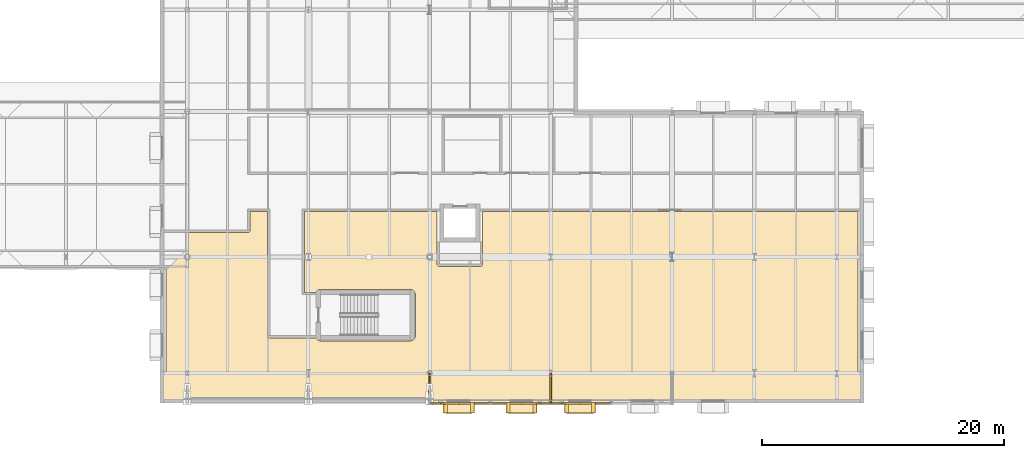
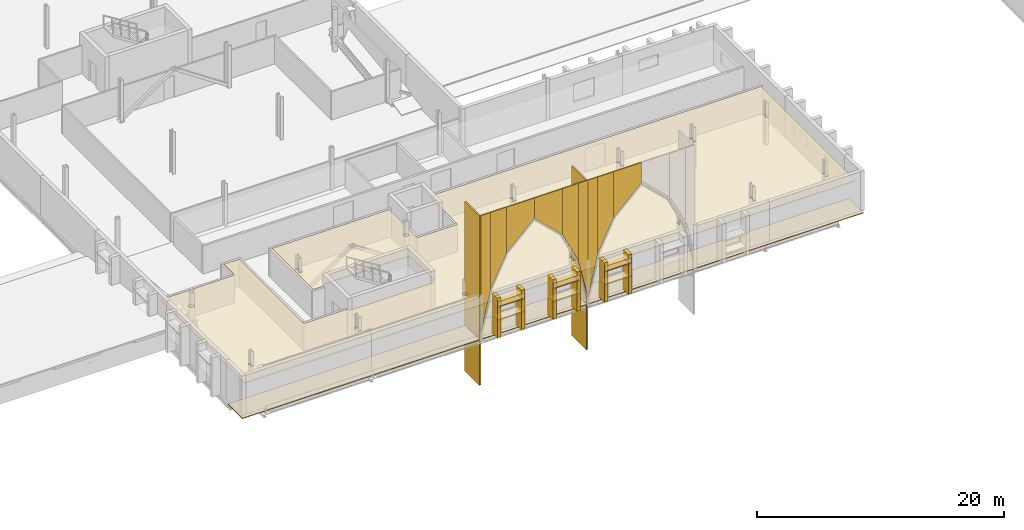
# One storey, part 86 of 90: 25 coverings, 3 shading devices.
"""IFC4 building model written with IfcOpenShell, lengths in metres."""

from ifc_helpers import new_model, si_unit, direction, frame, origin, origin_2d, place, context, subcontext, project, spatial, polyline, rectangle, outline, extrude, material, layer, layer_set, type_object, element, save


model = new_model("IFC4")

# Units and contexts
model_context = context("Model", 3, precision=1e-05, world=origin(), true_north=direction((0.0, 1.0)))
body_context = subcontext(model_context, "Body", "Model", "MODEL_VIEW")
ifc_project = project(units=[si_unit("LENGTHUNIT", "METRE"), si_unit("AREAUNIT", "SQUARE_METRE"), si_unit("VOLUMEUNIT", "CUBIC_METRE"), si_unit("PLANEANGLEUNIT", "RADIAN"), si_unit("MASSUNIT", "GRAM", prefix="KILO")], contexts=[model_context])

# Site, building, storey
site_placement = place(None, origin())
site = spatial("IfcSite", under=ifc_project, at=site_placement, CompositionType="ELEMENT")
building_placement = place(site_placement, origin())
building = spatial("IfcBuilding", under=site, at=building_placement, Name="Zereglee Splitstone Museum", CompositionType="ELEMENT")
storey_placement = place(building_placement, frame((0.0, 0.0, 4.800048828125)))
storey = spatial("IfcBuildingStorey", under=building, at=storey_placement, Name="L01", CompositionType="ELEMENT", Elevation=4.800048828125)

# Coverings
ifc_material_1 = material(Name="Siberian larch acoustic timber ceiling", Category="wood")
ifc_layer_1 = layer(ifc_material_1, 0.06005859375)
ifc_layer_set_1 = layer_set([ifc_layer_1], Name="Siberian larch acoustic timber ceiling")
covering_type_1 = type_object("IfcCoveringType", Name="CLG-01", PredefinedType="CEILING", material=ifc_layer_set_1)
covering_1_placement = place(storey_placement, frame((0.0, 0.0, 2.699951171875)))
element("IfcCovering", 1, at=covering_1_placement, inside=storey, type_object=covering_type_1, Name="Acoustic Ceiling L01-028", PredefinedType="CEILING", context=body_context, shape_type="SweptSolid", body=[
    extrude(outline(polyline([(184.8798828125, 13.3701171875), (195.820068359375, 13.3701171875), (195.820068359375, 9.0), (195.820068359375, 8.9990234375), (195.82080078125, 8.9833984375), (195.821044921875, 8.9814453125), (195.8232421875, 8.9658203125), (195.82373046875, 8.9638671875), (195.827392578125, 8.94873046875), (195.828125, 8.94677734375), (195.833251953125, 8.931884765625), (195.833984375, 8.93017578125), (195.8408203125, 8.916015625), (195.841796875, 8.914306640625), (195.849853515625, 8.90087890625), (195.850830078125, 8.899169921875), (195.8603515625, 8.88671875), (195.861572265625, 8.885009765625), (195.8720703125, 8.873291015625), (195.873291015625, 8.8720703125), (195.885009765625, 8.861572265625), (195.88671875, 8.8603515625), (195.899169921875, 8.850830078125), (195.90087890625, 8.849853515625), (195.914306640625, 8.841796875), (195.916015625, 8.8408203125), (195.93017578125, 8.833984375), (195.931884765625, 8.833251953125), (195.94677734375, 8.828125), (195.94873046875, 8.827392578125), (195.9638671875, 8.82373046875), (195.9658203125, 8.8232421875), (195.9814453125, 8.821044921875), (195.9833984375, 8.82080078125), (195.9990234375, 8.820068359375), (196.0, 8.820068359375), (199.39990234375, 8.820068359375), (199.40087890625, 8.820068359375), (199.416748046875, 8.82080078125), (199.418701171875, 8.821044921875), (199.43408203125, 8.8232421875), (199.43603515625, 8.82373046875), (199.451416015625, 8.827392578125), (199.453125, 8.828125), (199.468017578125, 8.833251953125), (199.4697265625, 8.833984375), (199.48388671875, 8.8408203125), (199.485595703125, 8.841796875), (199.499267578125, 8.849853515625), (199.500732421875, 8.850830078125), (199.513427734375, 8.8603515625), (199.514892578125, 8.861572265625), (199.526611328125, 8.8720703125), (199.528076171875, 8.873291015625), (199.53857421875, 8.885009765625), (199.539794921875, 8.88671875), (199.549072265625, 8.899169921875), (199.55029296875, 8.90087890625), (199.558349609375, 8.914306640625), (199.55908203125, 8.916015625), (199.56591796875, 8.93017578125), (199.566650390625, 8.931884765625), (199.572021484375, 8.94677734375), (199.572509765625, 8.94873046875), (199.576416015625, 8.9638671875), (199.57666015625, 8.9658203125), (199.5791015625, 8.9814453125), (199.5791015625, 8.9833984375), (199.580078125, 8.9990234375), (199.580078125, 9.0), (199.580078125, 13.3701171875), (230.5400390625, 13.3701171875), (230.5400390625, -1.93994140625), (173.4599609375, -1.93994140625), (173.4599609375, 11.6201171875), (180.199951171875, 11.6201171875), (180.200927734375, 11.6201171875), (180.216796875, 11.620849609375), (180.218505859375, 11.62109375), (180.234130859375, 11.623291015625), (180.236083984375, 11.623779296875), (180.251220703125, 11.62744140625), (180.253173828125, 11.628173828125), (180.26806640625, 11.63330078125), (180.269775390625, 11.634033203125), (180.283935546875, 11.640869140625), (180.28564453125, 11.6416015625), (180.29931640625, 11.64990234375), (180.30078125, 11.65087890625), (180.3134765625, 11.660400390625), (180.31494140625, 11.66162109375), (180.32666015625, 11.672119140625), (180.327880859375, 11.67333984375), (180.33837890625, 11.68505859375), (180.339599609375, 11.6865234375), (180.34912109375, 11.69921875), (180.35009765625, 11.70068359375), (180.3583984375, 11.71435546875), (180.359130859375, 11.716064453125), (180.365966796875, 11.730224609375), (180.36669921875, 11.73193359375), (180.371826171875, 11.746826171875), (180.37255859375, 11.748779296875), (180.376220703125, 11.763916015625), (180.376708984375, 11.765869140625), (180.37890625, 11.781494140625), (180.379150390625, 11.783203125), (180.3798828125, 11.799072265625), (180.3798828125, 11.800048828125), (180.3798828125, 13.3701171875), (181.820068359375, 13.3701171875), (181.820068359375, 3.10009765625), (181.820068359375, 3.09912109375), (181.82080078125, 3.083251953125), (181.821044921875, 3.081298828125), (181.8232421875, 3.06591796875), (181.82373046875, 3.06396484375), (181.827392578125, 3.048583984375), (181.828125, 3.046875), (181.833251953125, 3.031982421875), (181.833984375, 3.0302734375), (181.8408203125, 3.01611328125), (181.841796875, 3.014404296875), (181.849853515625, 3.000732421875), (181.850830078125, 2.999267578125), (181.8603515625, 2.986572265625), (181.861572265625, 2.985107421875), (181.8720703125, 2.973388671875), (181.873291015625, 2.971923828125), (181.885009765625, 2.96142578125), (181.88671875, 2.960205078125), (181.899169921875, 2.950927734375), (181.90087890625, 2.94970703125), (181.914306640625, 2.941650390625), (181.916015625, 2.94091796875), (181.93017578125, 2.93408203125), (181.931884765625, 2.933349609375), (181.94677734375, 2.927978515625), (181.94873046875, 2.927490234375), (181.9638671875, 2.923583984375), (181.9658203125, 2.92333984375), (181.9814453125, 2.9208984375), (181.9833984375, 2.9208984375), (181.9990234375, 2.919921875), (182.0, 2.919921875), (185.821044921875, 2.919921875), (185.82958984375, 2.902099609375), (185.850830078125, 2.86669921875), (185.875244140625, 2.83349609375), (185.903076171875, 2.802978515625), (185.93359375, 2.775390625), (185.966796875, 2.750732421875), (186.001953125, 2.7294921875), (186.039306640625, 2.7119140625), (186.078125, 2.697998046875), (186.1181640625, 2.68798828125), (186.15869140625, 2.681884765625), (186.199951171875, 2.679931640625), (193.60009765625, 2.679931640625), (193.64111328125, 2.681884765625), (193.681884765625, 2.68798828125), (193.721923828125, 2.697998046875), (193.7607421875, 2.7119140625), (193.798095703125, 2.7294921875), (193.833251953125, 2.750732421875), (193.866455078125, 2.775390625), (193.89697265625, 2.802978515625), (193.9248046875, 2.83349609375), (193.94921875, 2.86669921875), (193.970458984375, 2.902099609375), (193.988037109375, 2.939208984375), (194.001953125, 2.97802734375), (194.011962890625, 3.01806640625), (194.01806640625, 3.058837890625), (194.02001953125, 3.10009765625), (194.02001953125, 6.5), (194.01806640625, 6.541259765625), (194.011962890625, 6.581787109375), (194.001953125, 6.621826171875), (193.988037109375, 6.66064453125), (193.970458984375, 6.697998046875), (193.94921875, 6.7333984375), (193.9248046875, 6.766357421875), (193.89697265625, 6.797119140625), (193.866455078125, 6.82470703125), (193.833251953125, 6.84912109375), (193.798095703125, 6.870361328125), (193.7607421875, 6.887939453125), (193.721923828125, 6.90185546875), (193.681884765625, 6.911865234375), (193.64111328125, 6.91796875), (193.60009765625, 6.919921875), (186.199951171875, 6.919921875), (186.15869140625, 6.91796875), (186.1181640625, 6.911865234375), (186.078125, 6.90185546875), (186.039306640625, 6.887939453125), (186.001953125, 6.870361328125), (185.966796875, 6.84912109375), (185.93359375, 6.82470703125), (185.903076171875, 6.797119140625), (185.875244140625, 6.766357421875), (185.850830078125, 6.7333984375), (185.82958984375, 6.697998046875), (185.821044921875, 6.679931640625), (184.8798828125, 6.679931640625), (184.8798828125, 13.3701171875)]), holes=[polyline([(175.35791015625, 0.18798828125), (175.0419921875, 0.18798828125), (175.0419921875, 0.1494140625), (175.185791015625, 0.1494140625), (175.185791015625, -0.1494140625), (175.0419921875, -0.1494140625), (175.0419921875, -0.18798828125), (175.35791015625, -0.18798828125), (175.35791015625, -0.1494140625), (175.214111328125, -0.1494140625), (175.214111328125, 0.1494140625), (175.35791015625, 0.1494140625), (175.35791015625, 0.18798828125)]), polyline([(175.29052734375, 9.381591796875), (175.331298828125, 9.4033203125), (175.3671875, 9.432861328125), (175.396484375, 9.468505859375), (175.41845703125, 9.509521484375), (175.431884765625, 9.553955078125), (175.4365234375, 9.60009765625), (175.431884765625, 9.64599609375), (175.41845703125, 9.6904296875), (175.396484375, 9.7314453125), (175.3671875, 9.76708984375), (175.331298828125, 9.796630859375), (175.29052734375, 9.818603515625), (175.24609375, 9.83203125), (175.199951171875, 9.83642578125), (175.15380859375, 9.83203125), (175.109619140625, 9.818603515625), (175.068603515625, 9.796630859375), (175.03271484375, 9.76708984375), (175.00341796875, 9.7314453125), (174.9814453125, 9.6904296875), (174.968017578125, 9.64599609375), (174.96337890625, 9.60009765625), (174.968017578125, 9.553955078125), (174.9814453125, 9.509521484375), (175.00341796875, 9.468505859375), (175.03271484375, 9.432861328125), (175.068603515625, 9.4033203125), (175.109619140625, 9.381591796875), (175.15380859375, 9.367919921875), (175.199951171875, 9.363525390625), (175.24609375, 9.367919921875), (175.29052734375, 9.381591796875)]), polyline([(228.9580078125, 0.23291015625), (228.64208984375, 0.23291015625), (228.64208984375, 0.19091796875), (228.784912109375, 0.19091796875), (228.784912109375, -0.19091796875), (228.64208984375, -0.19091796875), (228.64208984375, -0.23291015625), (228.9580078125, -0.23291015625), (228.9580078125, -0.19091796875), (228.81494140625, -0.19091796875), (228.81494140625, 0.19091796875), (228.9580078125, 0.19091796875), (228.9580078125, 0.23291015625)]), polyline([(215.0419921875, 0.157958984375), (215.0419921875, -0.157958984375), (215.35791015625, -0.157958984375), (215.35791015625, 0.157958984375), (215.0419921875, 0.157958984375)]), polyline([(205.35791015625, 0.258056640625), (205.0419921875, 0.258056640625), (205.0419921875, 0.214111328125), (205.184814453125, 0.214111328125), (205.184814453125, -0.214111328125), (205.0419921875, -0.214111328125), (205.0419921875, -0.258056640625), (205.35791015625, -0.258056640625), (205.35791015625, -0.214111328125), (205.215087890625, -0.214111328125), (205.215087890625, 0.214111328125), (205.35791015625, 0.214111328125), (205.35791015625, 0.258056640625)]), polyline([(185.35791015625, 0.30810546875), (185.0419921875, 0.30810546875), (185.0419921875, 0.261962890625), (185.18408203125, 0.261962890625), (185.18408203125, -0.261962890625), (185.0419921875, -0.261962890625), (185.0419921875, -0.30810546875), (185.35791015625, -0.30810546875), (185.35791015625, -0.261962890625), (185.2158203125, -0.261962890625), (185.2158203125, 0.261962890625), (185.35791015625, 0.261962890625), (185.35791015625, 0.30810546875)]), polyline([(222.157958984375, 0.261962890625), (222.157958984375, 0.30810546875), (221.842041015625, 0.30810546875), (221.842041015625, 0.261962890625), (221.984375, 0.261962890625), (221.984375, -0.261962890625), (221.842041015625, -0.261962890625), (221.842041015625, -0.30810546875), (222.157958984375, -0.30810546875), (222.157958984375, -0.261962890625), (222.015625, -0.261962890625), (222.015625, 0.261962890625), (222.157958984375, 0.261962890625)]), polyline([(195.2412109375, -0.20703125), (195.28076171875, -0.195068359375), (195.3173828125, -0.175537109375), (195.349365234375, -0.1494140625), (195.37548828125, -0.1171875), (195.39501953125, -0.080810546875), (195.406982421875, -0.041259765625), (195.4111328125, 0.0), (195.406982421875, 0.041259765625), (195.39501953125, 0.080810546875), (195.37548828125, 0.1171875), (195.349365234375, 0.1494140625), (195.3173828125, 0.175537109375), (195.28076171875, 0.195068359375), (195.2412109375, 0.20703125), (195.199951171875, 0.211181640625), (195.15869140625, 0.20703125), (195.119140625, 0.195068359375), (195.082763671875, 0.175537109375), (195.05078125, 0.1494140625), (195.0244140625, 0.1171875), (195.0048828125, 0.080810546875), (194.992919921875, 0.041259765625), (194.98876953125, 0.0), (194.992919921875, -0.041259765625), (195.0048828125, -0.080810546875), (195.0244140625, -0.1171875), (195.05078125, -0.1494140625), (195.082763671875, -0.175537109375), (195.119140625, -0.195068359375), (195.15869140625, -0.20703125), (195.199951171875, -0.211181640625), (195.2412109375, -0.20703125)]), polyline([(215.35791015625, 9.9580078125), (215.0419921875, 9.9580078125), (215.0419921875, 9.909912109375), (215.18359375, 9.909912109375), (215.18359375, 9.2900390625), (215.0419921875, 9.2900390625), (215.0419921875, 9.241943359375), (215.35791015625, 9.241943359375), (215.35791015625, 9.2900390625), (215.216552734375, 9.2900390625), (215.216552734375, 9.909912109375), (215.35791015625, 9.909912109375), (215.35791015625, 9.9580078125)]), polyline([(205.35791015625, 9.8330078125), (205.0419921875, 9.8330078125), (205.0419921875, 9.791015625), (205.18505859375, 9.791015625), (205.18505859375, 9.408935546875), (205.0419921875, 9.408935546875), (205.0419921875, 9.366943359375), (205.35791015625, 9.366943359375), (205.35791015625, 9.408935546875), (205.215087890625, 9.408935546875), (205.215087890625, 9.791015625), (205.35791015625, 9.791015625), (205.35791015625, 9.8330078125)]), polyline([(222.157958984375, 9.883056640625), (221.842041015625, 9.883056640625), (221.842041015625, 9.837890625), (221.984619140625, 9.837890625), (221.984619140625, 9.362060546875), (221.842041015625, 9.362060546875), (221.842041015625, 9.31689453125), (222.157958984375, 9.31689453125), (222.157958984375, 9.362060546875), (222.015380859375, 9.362060546875), (222.015380859375, 9.837890625), (222.157958984375, 9.837890625), (222.157958984375, 9.883056640625)]), polyline([(228.9580078125, 9.80810546875), (228.64208984375, 9.80810546875), (228.64208984375, 9.76806640625), (228.785400390625, 9.76806640625), (228.785400390625, 9.431884765625), (228.64208984375, 9.431884765625), (228.64208984375, 9.39208984375), (228.9580078125, 9.39208984375), (228.9580078125, 9.431884765625), (228.814697265625, 9.431884765625), (228.814697265625, 9.76806640625), (228.9580078125, 9.76806640625), (228.9580078125, 9.80810546875)]), polyline([(195.01708984375, 9.782958984375), (195.01708984375, 9.4169921875), (195.383056640625, 9.4169921875), (195.383056640625, 9.782958984375), (195.01708984375, 9.782958984375)]), polyline([(185.35791015625, 9.883056640625), (185.0419921875, 9.883056640625), (185.0419921875, 9.837890625), (185.1845703125, 9.837890625), (185.1845703125, 9.362060546875), (185.0419921875, 9.362060546875), (185.0419921875, 9.31689453125), (185.35791015625, 9.31689453125), (185.35791015625, 9.362060546875), (185.215576171875, 9.362060546875), (185.215576171875, 9.837890625), (185.35791015625, 9.837890625), (185.35791015625, 9.883056640625)])]), origin(), (0.0, 0.0, 1.0), 0.06005859375),
])
ifc_material_2 = material(Name="Honed Gobi pale limestone stringcourse and soffit cladding", Category="masonry")
ifc_layer_2 = layer(ifc_material_2, 0.070068359375)
ifc_layer_set_2 = layer_set([ifc_layer_2], Name="Honed Gobi pale limestone stringcourse and soffit cladding")
covering_type_2 = type_object("IfcCoveringType", Name="CL-02", PredefinedType="CLADDING", material=ifc_layer_set_2)
for number, where, z_axis, x_axis, name in (
    (2, (196.489990234375, -2.824951171875, 0.0), (0.0, 0.0, 1.0), (1.0, 0.0, 0.0), "Mughal Window Reveal Stone Pilaster L01-0005L"),
    (3, (198.72998046875, -2.824951171875, 0.0), (0.0, 0.0, 1.0), (1.0, 0.0, 0.0), "Mughal Window Reveal Stone Pilaster L01-0005R"),
):
    element("IfcCovering", number, at=place(storey_placement, frame(where, z_axis=z_axis, x_axis=x_axis)), inside=storey, type_object=covering_type_2, Name=name, PredefinedType="CLADDING", context=body_context, shape_type="SweptSolid", body=[
        extrude(rectangle(XDim=0.340087890625, YDim=0.860107421875, at=origin_2d()), origin(), (0.0, 0.0, 1.0), 3.89990234375),
    ])
covering_2_placement = place(storey_placement, frame((197.610107421875, -2.8349609375, 1.659912109375), z_axis=(0.0, 0.0, 1.0), x_axis=(1.0, 0.0, 0.0)))
element("IfcCovering", 4, at=covering_2_placement, inside=storey, type_object=covering_type_2, Name="Carved Limestone Window Sill L01-0005", PredefinedType="CLADDING", context=body_context, shape_type="SweptSolid", body=[
    extrude(rectangle(XDim=2.43994140625, YDim=0.840087890625, at=origin_2d()), origin(), (0.0, 0.0, 1.0), 0.1201171875),
])
for number, where, z_axis, x_axis, name in (
    (5, (201.669921875, -2.824951171875, 0.0), (0.0, 0.0, 1.0), (1.0, 0.0, 0.0), "Mughal Window Reveal Stone Pilaster L01-0006L"),
    (6, (203.909912109375, -2.824951171875, 0.0), (0.0, 0.0, 1.0), (1.0, 0.0, 0.0), "Mughal Window Reveal Stone Pilaster L01-0006R"),
):
    element("IfcCovering", number, at=place(storey_placement, frame(where, z_axis=z_axis, x_axis=x_axis)), inside=storey, type_object=covering_type_2, Name=name, PredefinedType="CLADDING", context=body_context, shape_type="SweptSolid", body=[
        extrude(rectangle(XDim=0.340087890625, YDim=0.860107421875, at=origin_2d()), origin(), (0.0, 0.0, 1.0), 3.89990234375),
    ])
covering_3_placement = place(storey_placement, frame((202.7900390625, -2.8349609375, 1.659912109375), z_axis=(0.0, 0.0, 1.0), x_axis=(1.0, 0.0, 0.0)))
element("IfcCovering", 7, at=covering_3_placement, inside=storey, type_object=covering_type_2, Name="Carved Limestone Window Sill L01-0006", PredefinedType="CLADDING", context=body_context, shape_type="SweptSolid", body=[
    extrude(rectangle(XDim=2.43994140625, YDim=0.840087890625, at=origin_2d()), origin(), (0.0, 0.0, 1.0), 0.1201171875),
])
for number, where, z_axis, x_axis, name in (
    (8, (206.489990234375, -2.824951171875, 0.0), (0.0, 0.0, 1.0), (1.0, 0.0, 0.0), "Mughal Window Reveal Stone Pilaster L01-0007L"),
    (9, (208.72998046875, -2.824951171875, 0.0), (0.0, 0.0, 1.0), (1.0, 0.0, 0.0), "Mughal Window Reveal Stone Pilaster L01-0007R"),
):
    element("IfcCovering", number, at=place(storey_placement, frame(where, z_axis=z_axis, x_axis=x_axis)), inside=storey, type_object=covering_type_2, Name=name, PredefinedType="CLADDING", context=body_context, shape_type="SweptSolid", body=[
        extrude(rectangle(XDim=0.340087890625, YDim=0.860107421875, at=origin_2d()), origin(), (0.0, 0.0, 1.0), 3.89990234375),
    ])
covering_4_placement = place(storey_placement, frame((207.610107421875, -2.8349609375, 1.659912109375), z_axis=(0.0, 0.0, 1.0), x_axis=(1.0, 0.0, 0.0)))
element("IfcCovering", 10, at=covering_4_placement, inside=storey, type_object=covering_type_2, Name="Carved Limestone Window Sill L01-0007", PredefinedType="CLADDING", context=body_context, shape_type="SweptSolid", body=[
    extrude(rectangle(XDim=2.43994140625, YDim=0.840087890625, at=origin_2d()), origin(), (0.0, 0.0, 1.0), 0.1201171875),
])
covering_5_placement = place(storey_placement, frame((0.0, 0.0, -0.35009765625)))
element("IfcCovering", 11, at=covering_5_placement, inside=storey, type_object=covering_type_2, Name="Hovering Stone Plinth Soffit Apron 007", PredefinedType="CLADDING", context=body_context, shape_type="SweptSolid", body=[
    extrude(outline(polyline([(173.0, -2.39990234375), (231.0, -2.39990234375), (231.0, -0.050048828125), (173.0, -0.050048828125), (173.0, -2.39990234375)])), origin(), (0.0, 0.0, 1.0), 0.070068359375),
])
covering_6_placement = place(storey_placement, frame((0.0, 0.0, -4.800048828125)))
element("IfcCovering", 12, at=covering_6_placement, inside=storey, type_object=covering_type_2, Name="Mughal Iwan Stone Cheek Return PSQ-SV3-1", PredefinedType="CLADDING", context=body_context, shape_type="SweptSolid", body=[
    extrude(outline(polyline([(195.1298828125, -2.39990234375), (195.27001953125, -2.39990234375), (195.27001953125, 0.0), (195.1298828125, 0.0), (195.1298828125, -2.39990234375)])), origin(), (0.0, 0.0, 1.0), 16.72509765625),
])
covering_7_placement = place(storey_placement, frame((0.0, 0.0, -4.800048828125)))
element("IfcCovering", 13, at=covering_7_placement, inside=storey, type_object=covering_type_2, Name="Mughal Iwan Stone Cheek Return PSQ-SV3-1", PredefinedType="CLADDING", context=body_context, shape_type="SweptSolid", body=[
    extrude(outline(polyline([(205.1298828125, -2.39990234375), (205.27001953125, -2.39990234375), (205.27001953125, 0.0), (205.1298828125, 0.0), (205.1298828125, -2.39990234375)])), origin(), (0.0, 0.0, 1.0), 16.72509765625),
])
ifc_material_3 = material(Name="Honed Khoroo red sandstone ventilated rainscreen", Category="masonry")
ifc_layer_3 = layer(ifc_material_3, 0.080078125)
ifc_layer_set_3 = layer_set([ifc_layer_3], Name="Honed Khoroo red sandstone ventilated rainscreen")
covering_type_3 = type_object("IfcCoveringType", Name="CL-01", PredefinedType="CLADDING", material=ifc_layer_set_3)
for number, where, z_axis, x_axis, name in (
    (14, (197.610107421875, -2.8349609375, 2.9599609375), (0.0, 0.0, 1.0), (1.0, 0.0, 0.0), "Pointed-Arch Mughal Window Hood L01-0005"),
    (15, (202.7900390625, -2.8349609375, 2.9599609375), (0.0, 0.0, 1.0), (1.0, 0.0, 0.0), "Pointed-Arch Mughal Window Hood L01-0006"),
    (16, (207.610107421875, -2.8349609375, 2.9599609375), (0.0, 0.0, 1.0), (1.0, 0.0, 0.0), "Pointed-Arch Mughal Window Hood L01-0007"),
):
    element("IfcCovering", number, at=place(storey_placement, frame(where, z_axis=z_axis, x_axis=x_axis)), inside=storey, type_object=covering_type_3, Name=name, PredefinedType="CLADDING", context=body_context, shape_type="SweptSolid", body=[
        extrude(rectangle(XDim=2.43994140625, YDim=0.860107421875, at=origin_2d()), origin(), (0.0, 0.0, 1.0), 0.580078125),
    ])
covering_8_placement = place(storey_placement, frame((195.199951171875, -2.5400390625, 0.39990234375), z_axis=(0.0, -1.0, 0.0), x_axis=(0.217887712037, 0.0, 0.975973844395)))
element("IfcCovering", 17, at=covering_8_placement, inside=storey, type_object=covering_type_3, Name="Mughal Pishtaq Pointed-Arch Stone Voussoir PSQ-SV3-1-1", PredefinedType="CLADDING", context=body_context, shape_type="SweptSolid", body=[
    extrude(outline(polyline([(0.0, 0.0), (4.131240242789285, 0.0), (11.532057529633347, 1.652244222621499), (11.335926671655065, 2.5307636474957445), (0.0, 0.0)])), origin(), (0.0, 0.0, -1.0), 0.1201171875),
])
covering_9_placement = place(storey_placement, frame((196.10009765625, -2.5400390625, 4.431884765625), z_axis=(0.0, -1.0, 0.0), x_axis=(0.438766908304, 0.0, 0.898600912629)))
element("IfcCovering", 18, at=covering_9_placement, inside=storey, type_object=covering_type_3, Name="Mughal Pishtaq Pointed-Arch Stone Voussoir PSQ-SV3-1-2", PredefinedType="CLADDING", context=body_context, shape_type="SweptSolid", body=[
    extrude(outline(polyline([(0.0, 0.0), (3.418671671930719, 0.0), (7.472248103239659, 1.9792715245936685), (6.814097740783444, 3.327172893536794), (0.0, 0.0)])), origin(), (0.0, 0.0, -1.0), 0.1201171875),
])
covering_10_placement = place(storey_placement, frame((197.60009765625, -2.5400390625, 7.50390625), z_axis=(0.0, -1.0, 0.0), x_axis=(0.72135483249, 0.0, 0.692565668831)))
element("IfcCovering", 19, at=covering_10_placement, inside=storey, type_object=covering_type_3, Name="Mughal Pishtaq Pointed-Arch Stone Voussoir PSQ-SV3-1-3", PredefinedType="CLADDING", context=body_context, shape_type="SweptSolid", body=[
    extrude(outline(polyline([(0.0, 0.0), (3.6041257346958266, -2.220446049250313e-16), (4.99957116068723, 1.453452498179035), (3.124154263424593, 3.254021787090032), (0.0, 0.0)])), origin(), (0.0, 0.0, -1.0), 0.1201171875),
])
covering_11_placement = place(storey_placement, frame((200.199951171875, -2.5400390625, 10.0), z_axis=(0.0, -1.0, 0.0), x_axis=(0.721387321031, 0.0, -0.69253182819)))
element("IfcCovering", 20, at=covering_11_placement, inside=storey, type_object=covering_type_3, Name="Mughal Pishtaq Pointed-Arch Stone Voussoir PSQ-SV3-1-4", PredefinedType="CLADDING", context=body_context, shape_type="SweptSolid", body=[
    extrude(outline(polyline([(0.0, 0.0), (3.6043018506814617, 0.0), (0.4803002419262521, 3.254168342453343), (-1.3953772407347915, 1.453517959098741), (0.0, 0.0)])), origin(), (0.0, 0.0, -1.0), 0.1201171875),
])
covering_12_placement = place(storey_placement, frame((202.800048828125, -2.5400390625, 7.50390625), z_axis=(0.0, -1.0, 0.0), x_axis=(0.438766908304, 0.0, -0.898600912629)))
element("IfcCovering", 21, at=covering_12_placement, inside=storey, type_object=covering_type_3, Name="Mughal Pishtaq Pointed-Arch Stone Voussoir PSQ-SV3-1-5", PredefinedType="CLADDING", context=body_context, shape_type="SweptSolid", body=[
    extrude(outline(polyline([(0.0, 0.0), (3.418671671930719, 0.0), (-3.3954260688527245, 3.327172893536794), (-4.05357643130894, 1.9792715245936683), (0.0, 0.0)])), origin(), (0.0, 0.0, -1.0), 0.1201171875),
])
covering_13_placement = place(storey_placement, frame((204.300048828125, -2.5400390625, 4.431884765625), z_axis=(0.0, -1.0, 0.0), x_axis=(0.217831420339, 0.0, -0.975986409902)))
element("IfcCovering", 22, at=covering_13_placement, inside=storey, type_object=covering_type_3, Name="Mughal Pishtaq Pointed-Arch Stone Voussoir PSQ-SV3-1-6", PredefinedType="CLADDING", context=body_context, shape_type="SweptSolid", body=[
    extrude(outline(polyline([(0.0, 0.0), (4.1311870544185885, 1.1102230246251565e-16), (-7.204885565474124, 2.530109819977265), (-7.400912571179562, 1.6518173622384416), (0.0, 0.0)])), origin(), (0.0, 0.0, -1.0), 0.1201171875),
])
covering_14_placement = place(storey_placement, frame((205.199951171875, -2.5400390625, 0.39990234375), z_axis=(0.0, -1.0, 0.0), x_axis=(0.217887712037, 0.0, 0.975973844395)))
element("IfcCovering", 23, at=covering_14_placement, inside=storey, type_object=covering_type_3, Name="Mughal Pishtaq Pointed-Arch Stone Voussoir PSQ-SV3-2-1", PredefinedType="CLADDING", context=body_context, shape_type="SweptSolid", body=[
    extrude(outline(polyline([(0.0, 0.0), (4.131240242789285, 0.0), (11.532057529633347, 1.652244222621499), (11.335926671655065, 2.5307636474957445), (0.0, 0.0)])), origin(), (0.0, 0.0, -1.0), 0.1201171875),
])
covering_15_placement = place(storey_placement, frame((206.10009765625, -2.5400390625, 4.431884765625), z_axis=(0.0, -1.0, 0.0), x_axis=(0.438766908304, 0.0, 0.898600912629)))
element("IfcCovering", 24, at=covering_15_placement, inside=storey, type_object=covering_type_3, Name="Mughal Pishtaq Pointed-Arch Stone Voussoir PSQ-SV3-2-2", PredefinedType="CLADDING", context=body_context, shape_type="SweptSolid", body=[
    extrude(outline(polyline([(0.0, 0.0), (3.418671671930719, 0.0), (7.472248103239659, 1.9792715245936685), (6.814097740783444, 3.327172893536794), (0.0, 0.0)])), origin(), (0.0, 0.0, -1.0), 0.1201171875),
])
covering_16_placement = place(storey_placement, frame((207.60009765625, -2.5400390625, 7.50390625), z_axis=(0.0, -1.0, 0.0), x_axis=(0.72135483249, 0.0, 0.692565668831)))
element("IfcCovering", 25, at=covering_16_placement, inside=storey, type_object=covering_type_3, Name="Mughal Pishtaq Pointed-Arch Stone Voussoir PSQ-SV3-2-3", PredefinedType="CLADDING", context=body_context, shape_type="SweptSolid", body=[
    extrude(outline(polyline([(0.0, 0.0), (3.6041257346958266, -2.220446049250313e-16), (4.99957116068723, 1.453452498179035), (3.124154263424593, 3.254021787090032), (0.0, 0.0)])), origin(), (0.0, 0.0, -1.0), 0.1201171875),
])

# Shading devices
ifc_material_4 = material(Name="Anodised bronze extruded aluminium chhajja brise-soleil", Category="aluminium")
ifc_layer_4 = layer(ifc_material_4, 0.080078125)
ifc_layer_set_4 = layer_set([ifc_layer_4], Name="Anodised bronze extruded aluminium chhajja brise-soleil")
shading_device_type = type_object("IfcShadingDeviceType", Name="SH-01", PredefinedType="SHUTTER", material=ifc_layer_set_4)
for number, where, z_axis, x_axis, name in (
    (26, (197.610107421875, -2.8349609375, 3.039794921875), (0.0, 0.0, 1.0), (1.0, 0.0, 0.0), "Chhajja Window Brise-Soleil 05"),
    (27, (202.7900390625, -2.8349609375, 3.039794921875), (0.0, 0.0, 1.0), (1.0, 0.0, 0.0), "Chhajja Window Brise-Soleil 06"),
    (28, (207.610107421875, -2.8349609375, 3.039794921875), (0.0, 0.0, 1.0), (1.0, 0.0, 0.0), "Chhajja Window Brise-Soleil 07"),
):
    element("IfcShadingDevice", number, at=place(storey_placement, frame(where, z_axis=z_axis, x_axis=x_axis)), inside=storey, type_object=shading_device_type, Name=name, PredefinedType="SHUTTER", context=body_context, shape_type="SweptSolid", body=[
        extrude(rectangle(XDim=2.199951171875, YDim=0.97998046875, at=origin_2d()), origin(), (0.0, 0.0, 1.0), 0.080078125),
    ])

save(model, "model.ifc")
